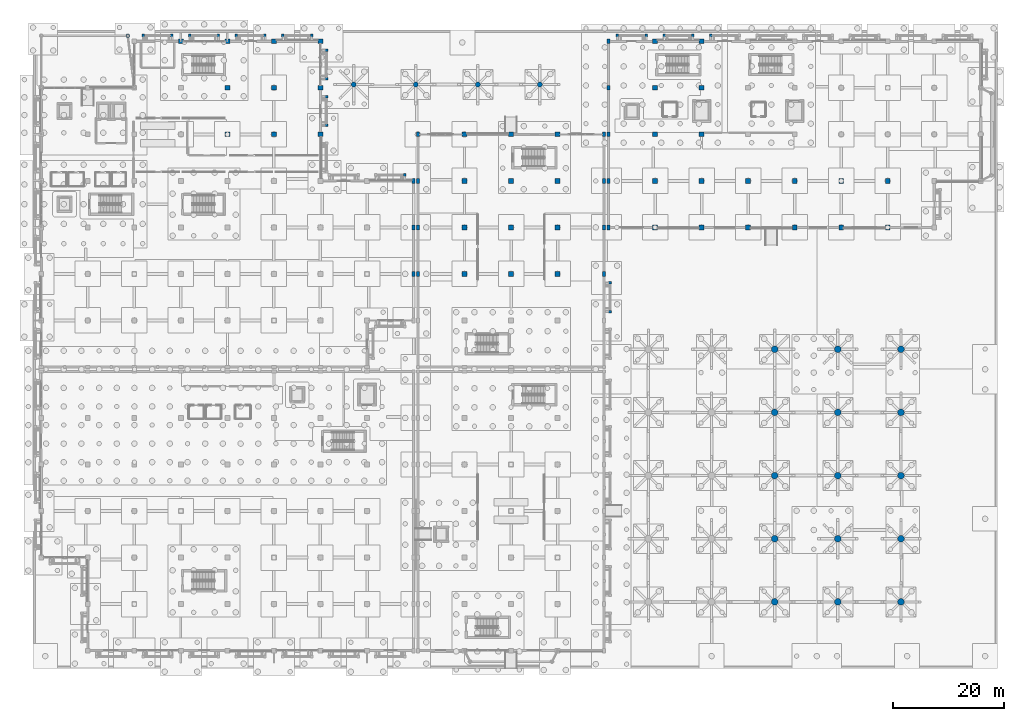
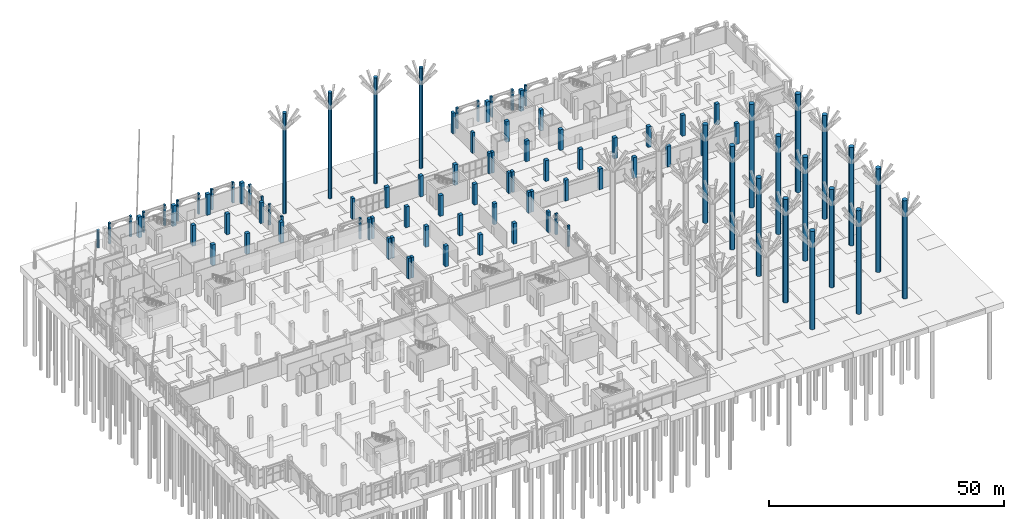
# One storey, part 10 of 98: 96 columns.
"""IFC4 building model written with IfcOpenShell, lengths in metres."""

import ifcopenshell
import ifcopenshell.guid

model = None  # the IFC model being written
_history = None  # IfcOwnerHistory: only IFC2X3 demands one
_inside = {}  # id of a spatial element -> (the spatial element, [elements in it])
_under = {}  # id of a project, library or spatial element -> (it, [spatial elements below it])
_declared = {}  # id of a project -> (the project, [libraries it declares])
_typed = {}  # id of a type object -> (the type object, [elements of that type])
_made_of = {}  # id of a material, layer set ... -> (it, [elements and type objects made of it])


def new_model(schema):
    """Start an empty IFC model of exactly this schema.

    Asked for "IFC4X3", IfcOpenShell would pick the latest addendum, in which some entities
    have other attributes; the version numbers below select the first issue.
    IFC2X3 requires an IfcOwnerHistory on every rooted entity: one is made here for all.
    """
    global model, _history
    if schema == "IFC4X3":
        model = ifcopenshell.file(schema_version=(4, 3, 0, 0))
    else:
        model = ifcopenshell.file(schema=schema)
    _inside.clear()
    _under.clear()
    _declared.clear()
    _typed.clear()
    _made_of.clear()
    _history = None
    if model.schema == "IFC2X3":
        org = make("IfcOrganization", Name="unknown")
        user = make(
            "IfcPersonAndOrganization",
            ThePerson=make("IfcPerson", FamilyName="unknown"),
            TheOrganization=org,
        )
        app = make(
            "IfcApplication",
            ApplicationDeveloper=org,
            Version="unknown",
            ApplicationFullName="unknown",
            ApplicationIdentifier="unknown",
        )
        _history = make(
            "IfcOwnerHistory",
            OwningUser=user,
            OwningApplication=app,
            ChangeAction="ADDED",
            CreationDate=0,
        )
    return model


def make(cls, **values):
    """One entity of the class cls with the attributes given. An attribute that is None is left unset."""
    return model.create_entity(
        cls, **{name: value for name, value in values.items() if value is not None}
    )


def rooted(cls, **values):
    """An entity with a GlobalId (a new one), such as an element, a storey or a relation."""
    return make(cls, GlobalId=ifcopenshell.guid.new(), OwnerHistory=_history, **values)


def si_unit(unit_type, name, prefix=None):
    """IfcSIUnit, for example si_unit("LENGTHUNIT", "METRE", prefix="MILLI")."""
    return make("IfcSIUnit", UnitType=unit_type, Prefix=prefix, Name=name)


def assignment(units):
    """IfcUnitAssignment: the units of a project."""
    return None if units is None else make("IfcUnitAssignment", Units=units)


def point(xyz):
    """IfcCartesianPoint."""
    return None if xyz is None else make("IfcCartesianPoint", Coordinates=xyz)


def direction(xyz):
    """IfcDirection."""
    return None if xyz is None else make("IfcDirection", DirectionRatios=xyz)


def frame(location, z_axis=None, x_axis=None):
    """IfcAxis2Placement3D, a coordinate frame: its origin and axes. An axis left out is left unset."""
    return make(
        "IfcAxis2Placement3D",
        Location=point(location),
        Axis=direction(z_axis),
        RefDirection=direction(x_axis),
    )


def frame_2d(location, x_axis=None):
    """IfcAxis2Placement2D, a coordinate frame in the plane: its origin and x axis."""
    return make(
        "IfcAxis2Placement2D", Location=point(location), RefDirection=direction(x_axis)
    )


def origin():
    """The frame at (0, 0, 0) with its axes left unset."""
    return frame((0.0, 0.0, 0.0))


def origin_2d():
    """The frame at (0, 0) in the plane with its x axis left unset."""
    return frame_2d((0.0, 0.0))


def place(relative_to, where):
    """IfcLocalPlacement: puts the frame where relative to a parent placement (None: the world)."""
    return make(
        "IfcLocalPlacement", PlacementRelTo=relative_to, RelativePlacement=where
    )


def context(
    kind, dimensions, precision=None, world=None, true_north=None, identifier=None
):
    """IfcGeometricRepresentationContext, for example the 3D "Model" context."""
    return make(
        "IfcGeometricRepresentationContext",
        ContextIdentifier=identifier,
        ContextType=kind,
        CoordinateSpaceDimension=dimensions,
        Precision=precision,
        WorldCoordinateSystem=world,
        TrueNorth=true_north,
    )


def subcontext(parent, identifier, kind, view, scale=None):
    """IfcGeometricRepresentationSubContext, for example "Body" below "Model"."""
    return make(
        "IfcGeometricRepresentationSubContext",
        ContextIdentifier=identifier,
        ContextType=kind,
        ParentContext=parent,
        TargetScale=scale,
        TargetView=view,
    )


def project(units=None, contexts=None):
    """IfcProject with its units and contexts."""
    return rooted(
        "IfcProject",
        Name="project",
        RepresentationContexts=contexts,
        UnitsInContext=assignment(units),
    )


def spatial(cls, under=None, at=None, **own):
    """A site, building, storey or space (cls), placed at a placement, below another one or the project."""
    s = rooted(cls, ObjectPlacement=at, **own)
    if under is not None:
        _under.setdefault(under.id(), (under, []))[1].append(s)
    return s


def profile(cls, at=None, kind="AREA", **sizes):
    """A parametric profile (cls). Its sizes go by their IFC names, for example OverallWidth=200.0."""
    return make(cls, ProfileType=kind, Position=at, **sizes)


def rectangle(**sizes):
    """IfcRectangleProfileDef."""
    return profile("IfcRectangleProfileDef", **sizes)


def circle(**sizes):
    """IfcCircleProfileDef."""
    return profile("IfcCircleProfileDef", **sizes)


def extrude(swept, where, along, depth):
    """IfcExtrudedAreaSolid: the profile swept, set in the frame where, extruded along a direction by depth."""
    return make(
        "IfcExtrudedAreaSolid",
        SweptArea=swept,
        Position=where,
        ExtrudedDirection=direction(along),
        Depth=depth,
    )


def shape(context_of_items, identifier, shape_type, items):
    """IfcShapeRepresentation: the items that make up one representation, for example the "Body"."""
    return make(
        "IfcShapeRepresentation",
        ContextOfItems=context_of_items,
        RepresentationIdentifier=identifier,
        RepresentationType=shape_type,
        Items=items,
    )


def material(Name=None, Category=None):
    """IfcMaterial."""
    return make("IfcMaterial", Name=Name, Category=Category)


def material_profile(
    of_material, cross_section, Name=None, Category=None, Priority=None
):
    """IfcMaterialProfile: a cross section and its material."""
    return make(
        "IfcMaterialProfile",
        Name=Name,
        Material=of_material,
        Profile=cross_section,
        Priority=Priority,
        Category=Category,
    )


def profile_set(profiles, Name=None, composite=None):
    """IfcMaterialProfileSet."""
    return make(
        "IfcMaterialProfileSet",
        Name=Name,
        MaterialProfiles=profiles,
        CompositeProfile=composite,
    )


def made_of(thing, what):
    """Note that an element or type object is made of a material, layer set ...; save() writes the relation."""
    if what is not None:
        _made_of.setdefault(what.id(), (what, []))[1].append(thing)
    return thing


def type_object(cls, material=None, **own):
    """A type object (cls), such as IfcWallType, which elements share."""
    return made_of(rooted(cls, **own), material)


def element(
    cls,
    number,
    at=None,
    inside=None,
    cuts=None,
    type_object=None,
    material=None,
    context=None,
    identifier="Body",
    shape_type=None,
    held_by="IfcProductDefinitionShape",
    body=None,
    shapes=None,
    **own,
):
    """One element of the class cls, such as IfcWall. Its Tag is "e" and its number.

    at: its placement. inside: the storey or other place that contains it. cuts: it is an
    opening in that element (IfcRelVoidsElement). A single representation is given by context,
    identifier, shape_type and body (its items); several are given by shapes. held_by: the class
    of the entity that holds the representations. save() writes the other relations.
    """
    e = rooted(cls, Tag="e%d" % number, ObjectPlacement=at, **own)
    if body is not None:
        shapes = [shape(context, identifier, shape_type, body)]
    if shapes is not None:
        e.Representation = make(held_by, Representations=shapes)
    if inside is not None:
        _inside.setdefault(inside.id(), (inside, []))[1].append(e)
    if cuts is not None:
        rooted(
            "IfcRelVoidsElement", RelatingBuildingElement=cuts, RelatedOpeningElement=e
        )
    if type_object is not None:
        _typed.setdefault(type_object.id(), (type_object, []))[1].append(e)
    return made_of(e, material)


def aggregate(whole, parts):
    """IfcRelAggregates: a whole, such as a stair, and the parts it consists of."""
    return rooted("IfcRelAggregates", RelatingObject=whole, RelatedObjects=parts)


def save(model, path):
    """Write the relations noted so far, then the file.

    IfcRelAggregates (storeys below a building ...), IfcRelContainedInSpatialStructure (elements
    in a storey), IfcRelDefinesByType, IfcRelAssociatesMaterial and IfcRelDeclares: one each for
    every whole, place, type object, material and project.
    """
    for whole, parts in _under.values():
        aggregate(whole, parts)
    for where, things in _inside.values():
        rooted(
            "IfcRelContainedInSpatialStructure",
            RelatedElements=things,
            RelatingStructure=where,
        )
    for kind, things in _typed.values():
        rooted("IfcRelDefinesByType", RelatedObjects=things, RelatingType=kind)
    for what, things in _made_of.values():
        rooted("IfcRelAssociatesMaterial", RelatedObjects=things, RelatingMaterial=what)
    for by, libraries in _declared.values():
        rooted("IfcRelDeclares", RelatingContext=by, RelatedDefinitions=libraries)
    model.write(path)


model = new_model("IFC4")

# Units and contexts
model_context = context("Model", 3, precision=1e-05, world=origin(), true_north=direction((0.0, 1.0)))
body_context = subcontext(model_context, "Body", "Model", "MODEL_VIEW")
ifc_project = project(units=[si_unit("LENGTHUNIT", "METRE"), si_unit("AREAUNIT", "SQUARE_METRE"), si_unit("VOLUMEUNIT", "CUBIC_METRE"), si_unit("PLANEANGLEUNIT", "RADIAN"), si_unit("MASSUNIT", "GRAM", prefix="KILO")], contexts=[model_context])

# Site, building, storey
site_placement = place(None, origin())
site = spatial("IfcSite", under=ifc_project, at=site_placement, CompositionType="ELEMENT")
building_placement = place(site_placement, origin())
building = spatial("IfcBuilding", under=site, at=building_placement, Name="Xazarin Passage Department Store", CompositionType="ELEMENT")
storey_placement = place(building_placement, origin())
storey = spatial("IfcBuildingStorey", under=building, at=storey_placement, Name="L00", CompositionType="ELEMENT", Elevation=0.0)

# Columns
ifc_material = material(Name="Concrete C40/50", Category="concrete")
ifc_material_profile_1 = material_profile(ifc_material, circle(Radius=0.35009765625, at=origin_2d()), Name="RCD 700")
ifc_profile_set_1 = profile_set([ifc_material_profile_1], Name="Concrete C40/50")
column_type_1 = type_object("IfcColumnType", Name="STR-COL-CAN700", PredefinedType="COLUMN", material=ifc_profile_set_1)
column_1_placement = place(storey_placement, frame((15.60009765625, 111.0, 0.0), z_axis=(0.0, 0.0, 1.0), x_axis=(1.0, 0.0, 0.0)))
element("IfcColumn", 1, at=column_1_placement, inside=storey, type_object=column_type_1, Name="Entrance Canopy Column CN1-4", PredefinedType="COLUMN", context=body_context, shape_type="SweptSolid", body=[
    extrude(circle(Radius=0.35009765625, at=origin_2d()), origin(), (0.0, 0.0, 1.0), 4.550048828125),
])
ifc_material_profile_2 = material_profile(ifc_material, rectangle(XDim=0.85009765625, YDim=0.85009765625, at=origin_2d()), Name="RC 850x850")
ifc_profile_set_2 = profile_set([ifc_material_profile_2], Name="Concrete C40/50")
column_type_2 = type_object("IfcColumnType", Name="STR-COL-RC850", PredefinedType="COLUMN", material=ifc_profile_set_2)
for number, where, z_axis, x_axis, name in (
    (2, (33.60009765625, 93.199951171875, 0.0), (0.0, 0.0, 1.0), (1.0, 0.0, 0.0), "L00 Column 5/N"),
    (3, (42.0, 93.199951171875, 0.0), (0.0, 0.0, 1.0), (1.0, 0.0, 0.0), "L00 Column 6/N"),
    (4, (50.39990234375, 93.199951171875, 0.0), (0.0, 0.0, 1.0), (1.0, 0.0, 0.0), "L00 Column 7/N"),
    (5, (33.60009765625, 101.60009765625, 0.0), (0.0, 0.0, 1.0), (1.0, 0.0, 0.0), "L00 Column 5/P"),
    (6, (42.0, 101.60009765625, 0.0), (0.0, 0.0, 1.0), (1.0, 0.0, 0.0), "L00 Column 6/P"),
    (7, (50.39990234375, 101.60009765625, 0.0), (0.0, 0.0, 1.0), (1.0, 0.0, 0.0), "L00 Column 7/P"),
    (8, (25.199951171875, 110.0, 0.0), (0.0, 0.0, 1.0), (1.0, 0.0, 0.0), "L00 Column 4/Q"),
    (9, (33.60009765625, 110.0, 0.0), (0.0, 0.0, 1.0), (1.0, 0.0, 0.0), "L00 Column 5/Q"),
    (10, (42.0, 110.0, 0.0), (0.0, 0.0, 1.0), (1.0, 0.0, 0.0), "L00 Column 6/Q"),
    (11, (50.39990234375, 110.0, 0.0), (0.0, 0.0, 1.0), (1.0, 0.0, 0.0), "L00 Column 7/Q"),
    (12, (76.39990234375, 68.0, 0.0), (0.0, 0.0, 1.0), (1.0, 0.0, 0.0), "L00 Column 11/K"),
    (13, (84.800048828125, 68.0, 0.0), (0.0, 0.0, 1.0), (1.0, 0.0, 0.0), "L00 Column 12/K"),
    (14, (93.199951171875, 68.0, 0.0), (0.0, 0.0, 1.0), (1.0, 0.0, 0.0), "L00 Column 13/K"),
    (15, (76.39990234375, 76.39990234375, 0.0), (0.0, 0.0, 1.0), (1.0, 0.0, 0.0), "L00 Column 11/L"),
    (16, (84.800048828125, 76.39990234375, 0.0), (0.0, 0.0, 1.0), (1.0, 0.0, 0.0), "L00 Column 12/L"),
    (17, (93.199951171875, 76.39990234375, 0.0), (0.0, 0.0, 1.0), (1.0, 0.0, 0.0), "L00 Column 13/L"),
    (18, (76.39990234375, 84.800048828125, 0.0), (0.0, 0.0, 1.0), (1.0, 0.0, 0.0), "L00 Column 11/M"),
    (19, (84.800048828125, 84.800048828125, 0.0), (0.0, 0.0, 1.0), (1.0, 0.0, 0.0), "L00 Column 12/M"),
    (20, (93.199951171875, 84.800048828125, 0.0), (0.0, 0.0, 1.0), (1.0, 0.0, 0.0), "L00 Column 13/M"),
    (21, (76.39990234375, 93.199951171875, 0.0), (0.0, 0.0, 1.0), (1.0, 0.0, 0.0), "L00 Column 11/N"),
    (22, (84.800048828125, 93.199951171875, 0.0), (0.0, 0.0, 1.0), (1.0, 0.0, 0.0), "L00 Column 12/N"),
    (23, (93.199951171875, 93.199951171875, 0.0), (0.0, 0.0, 1.0), (1.0, 0.0, 0.0), "L00 Column 13/N"),
    (24, (110.800048828125, 76.39990234375, 0.0), (0.0, 0.0, 1.0), (1.0, 0.0, 0.0), "L00 Column 16/L"),
    (25, (119.199951171875, 76.39990234375, 0.0), (0.0, 0.0, 1.0), (1.0, 0.0, 0.0), "L00 Column 17/L"),
    (26, (127.60009765625, 76.39990234375, 0.0), (0.0, 0.0, 1.0), (1.0, 0.0, 0.0), "L00 Column 18/L"),
    (27, (136.0, 76.39990234375, 0.0), (0.0, 0.0, 1.0), (1.0, 0.0, 0.0), "L00 Column 19/L"),
    (28, (144.39990234375, 76.39990234375, 0.0), (0.0, 0.0, 1.0), (1.0, 0.0, 0.0), "L00 Column 20/L"),
    (29, (152.800048828125, 76.39990234375, 0.0), (0.0, 0.0, 1.0), (1.0, 0.0, 0.0), "L00 Column 21/L"),
    (30, (110.800048828125, 84.800048828125, 0.0), (0.0, 0.0, 1.0), (1.0, 0.0, 0.0), "L00 Column 16/M"),
    (31, (119.199951171875, 84.800048828125, 0.0), (0.0, 0.0, 1.0), (1.0, 0.0, 0.0), "L00 Column 17/M"),
    (32, (127.60009765625, 84.800048828125, 0.0), (0.0, 0.0, 1.0), (1.0, 0.0, 0.0), "L00 Column 18/M"),
    (33, (136.0, 84.800048828125, 0.0), (0.0, 0.0, 1.0), (1.0, 0.0, 0.0), "L00 Column 19/M"),
    (34, (144.39990234375, 84.800048828125, 0.0), (0.0, 0.0, 1.0), (1.0, 0.0, 0.0), "L00 Column 20/M"),
    (35, (152.800048828125, 84.800048828125, 0.0), (0.0, 0.0, 1.0), (1.0, 0.0, 0.0), "L00 Column 21/M"),
    (36, (110.800048828125, 93.199951171875, 0.0), (0.0, 0.0, 1.0), (1.0, 0.0, 0.0), "L00 Column 16/N"),
    (37, (119.199951171875, 93.199951171875, 0.0), (0.0, 0.0, 1.0), (1.0, 0.0, 0.0), "L00 Column 17/N"),
    (38, (110.800048828125, 101.60009765625, 0.0), (0.0, 0.0, 1.0), (1.0, 0.0, 0.0), "L00 Column 16/P"),
    (39, (119.199951171875, 101.60009765625, 0.0), (0.0, 0.0, 1.0), (1.0, 0.0, 0.0), "L00 Column 17/P"),
    (40, (110.800048828125, 110.0, 0.0), (0.0, 0.0, 1.0), (1.0, 0.0, 0.0), "L00 Column 16/Q"),
    (41, (119.199951171875, 110.0, 0.0), (0.0, 0.0, 1.0), (1.0, 0.0, 0.0), "L00 Column 17/Q"),
):
    element("IfcColumn", number, at=place(storey_placement, frame(where, z_axis=z_axis, x_axis=x_axis)), inside=storey, type_object=column_type_2, Name=name, PredefinedType="COLUMN", context=body_context, shape_type="SweptSolid", body=[
        extrude(rectangle(XDim=0.85009765625, YDim=0.85009765625, at=origin_2d()), origin(), (0.0, 0.0, 1.0), 5.39990234375),
    ])
ifc_material_profile_3 = material_profile(ifc_material, rectangle(XDim=0.60009765625, YDim=0.85009765625, at=origin_2d()), Name="RC 600x850")
ifc_profile_set_3 = profile_set([ifc_material_profile_3], Name="Concrete C40/50")
column_type_3 = type_object("IfcColumnType", Name="STR-COL-SJ850", PredefinedType="COLUMN", material=ifc_profile_set_3)
for number, where, z_axis, x_axis, name in (
    (42, (67.199951171875, 68.0, 0.0), (0.0, 0.0, 1.0), (1.0, 0.0, 0.0), "L00 Column 9/K"),
    (43, (67.199951171875, 76.39990234375, 0.0), (0.0, 0.0, 1.0), (1.0, 0.0, 0.0), "L00 Column 9/L"),
    (44, (67.199951171875, 84.800048828125, 0.0), (0.0, 0.0, 1.0), (1.0, 0.0, 0.0), "L00 Column 9/M"),
    (45, (68.0, 68.0, 0.0), (0.0, 0.0, 1.0), (1.0, 0.0, 0.0), "L00 Column 10/K"),
    (46, (101.60009765625, 68.0, 0.0), (0.0, 0.0, 1.0), (1.0, 0.0, 0.0), "L00 Column 14/K"),
    (47, (68.0, 76.39990234375, 0.0), (0.0, 0.0, 1.0), (1.0, 0.0, 0.0), "L00 Column 10/L"),
    (48, (101.60009765625, 76.39990234375, 0.0), (0.0, 0.0, 1.0), (1.0, 0.0, 0.0), "L00 Column 14/L"),
    (49, (68.0, 84.800048828125, 0.0), (0.0, 0.0, 1.0), (1.0, 0.0, 0.0), "L00 Column 10/M"),
    (50, (101.60009765625, 84.800048828125, 0.0), (0.0, 0.0, 1.0), (1.0, 0.0, 0.0), "L00 Column 14/M"),
    (51, (68.0, 93.199951171875, 0.0), (0.0, 0.0, 1.0), (1.0, 0.0, 0.0), "L00 Column 10/N"),
    (52, (101.60009765625, 93.199951171875, 0.0), (0.0, 0.0, 1.0), (1.0, 0.0, 0.0), "L00 Column 14/N"),
    (53, (102.39990234375, 76.39990234375, 0.0), (0.0, 0.0, 1.0), (1.0, 0.0, 0.0), "L00 Column 15/L"),
    (54, (102.39990234375, 84.800048828125, 0.0), (0.0, 0.0, 1.0), (1.0, 0.0, 0.0), "L00 Column 15/M"),
    (55, (102.39990234375, 93.199951171875, 0.0), (0.0, 0.0, 1.0), (1.0, 0.0, 0.0), "L00 Column 15/N"),
    (56, (102.39990234375, 101.60009765625, 0.0), (0.0, 0.0, 1.0), (1.0, 0.0, 0.0), "L00 Column 15/P"),
    (57, (102.39990234375, 110.0, 0.0), (0.0, 0.0, 1.0), (1.0, 0.0, 0.0), "L00 Column 15/Q"),
):
    element("IfcColumn", number, at=place(storey_placement, frame(where, z_axis=z_axis, x_axis=x_axis)), inside=storey, type_object=column_type_3, Name=name, PredefinedType="COLUMN", context=body_context, shape_type="SweptSolid", body=[
        extrude(rectangle(XDim=0.60009765625, YDim=0.85009765625, at=origin_2d()), origin(), (0.0, 0.0, 1.0), 5.39990234375),
    ])
ifc_material_profile_4 = material_profile(ifc_material, circle(Radius=0.60009765625, at=origin_2d()), Name="RCD 1200")
ifc_profile_set_4 = profile_set([ifc_material_profile_4], Name="Concrete C40/50")
column_type_4 = type_object("IfcColumnType", Name="STR-COL-UMB1200", PredefinedType="COLUMN", material=ifc_profile_set_4)
column_2_placement = place(storey_placement, frame((132.39990234375, 8.800048828125, 0.0), z_axis=(0.0, 0.0, 1.0), x_axis=(1.0, 0.0, 0.0)))
element("IfcColumn", 58, at=column_2_placement, inside=storey, type_object=column_type_4, Name="Trading Court Umbrella Column UM7", PredefinedType="COLUMN", context=body_context, shape_type="SweptSolid", body=[
    extrude(circle(Radius=0.60009765625, at=origin_2d()), origin(), (0.0, 0.0, 1.0), 25.580078125),
])
column_3_placement = place(storey_placement, frame((143.800048828125, 8.800048828125, 0.0), z_axis=(0.0, 0.0, 1.0), x_axis=(1.0, 0.0, 0.0)))
element("IfcColumn", 59, at=column_3_placement, inside=storey, type_object=column_type_4, Name="Trading Court Umbrella Column UM8", PredefinedType="COLUMN", context=body_context, shape_type="SweptSolid", body=[
    extrude(circle(Radius=0.60009765625, at=origin_2d()), origin(), (0.0, 0.0, 1.0), 26.97998046875),
])
column_4_placement = place(storey_placement, frame((155.199951171875, 8.800048828125, 0.0), z_axis=(0.0, 0.0, 1.0), x_axis=(1.0, 0.0, 0.0)))
element("IfcColumn", 60, at=column_4_placement, inside=storey, type_object=column_type_4, Name="Trading Court Umbrella Column UM9", PredefinedType="COLUMN", context=body_context, shape_type="SweptSolid", body=[
    extrude(circle(Radius=0.60009765625, at=origin_2d()), origin(), (0.0, 0.0, 1.0), 25.580078125),
])
column_5_placement = place(storey_placement, frame((132.39990234375, 20.199951171875, 0.0), z_axis=(0.0, 0.0, 1.0), x_axis=(1.0, 0.0, 0.0)))
element("IfcColumn", 61, at=column_5_placement, inside=storey, type_object=column_type_4, Name="Trading Court Umbrella Column UM12", PredefinedType="COLUMN", context=body_context, shape_type="SweptSolid", body=[
    extrude(circle(Radius=0.60009765625, at=origin_2d()), origin(), (0.0, 0.0, 1.0), 26.97998046875),
])
column_6_placement = place(storey_placement, frame((143.800048828125, 20.199951171875, 0.0), z_axis=(0.0, 0.0, 1.0), x_axis=(1.0, 0.0, 0.0)))
element("IfcColumn", 62, at=column_6_placement, inside=storey, type_object=column_type_4, Name="Trading Court Umbrella Column UM13", PredefinedType="COLUMN", context=body_context, shape_type="SweptSolid", body=[
    extrude(circle(Radius=0.60009765625, at=origin_2d()), origin(), (0.0, 0.0, 1.0), 25.580078125),
])
column_7_placement = place(storey_placement, frame((155.199951171875, 20.199951171875, 0.0), z_axis=(0.0, 0.0, 1.0), x_axis=(1.0, 0.0, 0.0)))
element("IfcColumn", 63, at=column_7_placement, inside=storey, type_object=column_type_4, Name="Trading Court Umbrella Column UM14", PredefinedType="COLUMN", context=body_context, shape_type="SweptSolid", body=[
    extrude(circle(Radius=0.60009765625, at=origin_2d()), origin(), (0.0, 0.0, 1.0), 26.97998046875),
])
column_8_placement = place(storey_placement, frame((132.39990234375, 31.60009765625, 0.0), z_axis=(0.0, 0.0, 1.0), x_axis=(1.0, 0.0, 0.0)))
element("IfcColumn", 64, at=column_8_placement, inside=storey, type_object=column_type_4, Name="Trading Court Umbrella Column UM17", PredefinedType="COLUMN", context=body_context, shape_type="SweptSolid", body=[
    extrude(circle(Radius=0.60009765625, at=origin_2d()), origin(), (0.0, 0.0, 1.0), 25.580078125),
])
column_9_placement = place(storey_placement, frame((143.800048828125, 31.60009765625, 0.0), z_axis=(0.0, 0.0, 1.0), x_axis=(1.0, 0.0, 0.0)))
element("IfcColumn", 65, at=column_9_placement, inside=storey, type_object=column_type_4, Name="Trading Court Umbrella Column UM18", PredefinedType="COLUMN", context=body_context, shape_type="SweptSolid", body=[
    extrude(circle(Radius=0.60009765625, at=origin_2d()), origin(), (0.0, 0.0, 1.0), 26.97998046875),
])
column_10_placement = place(storey_placement, frame((155.199951171875, 31.60009765625, 0.0), z_axis=(0.0, 0.0, 1.0), x_axis=(1.0, 0.0, 0.0)))
element("IfcColumn", 66, at=column_10_placement, inside=storey, type_object=column_type_4, Name="Trading Court Umbrella Column UM19", PredefinedType="COLUMN", context=body_context, shape_type="SweptSolid", body=[
    extrude(circle(Radius=0.60009765625, at=origin_2d()), origin(), (0.0, 0.0, 1.0), 25.580078125),
])
column_11_placement = place(storey_placement, frame((132.39990234375, 43.0, 0.0), z_axis=(0.0, 0.0, 1.0), x_axis=(1.0, 0.0, 0.0)))
element("IfcColumn", 67, at=column_11_placement, inside=storey, type_object=column_type_4, Name="Trading Court Umbrella Column UM22", PredefinedType="COLUMN", context=body_context, shape_type="SweptSolid", body=[
    extrude(circle(Radius=0.60009765625, at=origin_2d()), origin(), (0.0, 0.0, 1.0), 26.97998046875),
])
column_12_placement = place(storey_placement, frame((143.800048828125, 43.0, 0.0), z_axis=(0.0, 0.0, 1.0), x_axis=(1.0, 0.0, 0.0)))
element("IfcColumn", 68, at=column_12_placement, inside=storey, type_object=column_type_4, Name="Trading Court Umbrella Column UM23", PredefinedType="COLUMN", context=body_context, shape_type="SweptSolid", body=[
    extrude(circle(Radius=0.60009765625, at=origin_2d()), origin(), (0.0, 0.0, 1.0), 25.580078125),
])
column_13_placement = place(storey_placement, frame((155.199951171875, 43.0, 0.0), z_axis=(0.0, 0.0, 1.0), x_axis=(1.0, 0.0, 0.0)))
element("IfcColumn", 69, at=column_13_placement, inside=storey, type_object=column_type_4, Name="Trading Court Umbrella Column UM24", PredefinedType="COLUMN", context=body_context, shape_type="SweptSolid", body=[
    extrude(circle(Radius=0.60009765625, at=origin_2d()), origin(), (0.0, 0.0, 1.0), 26.97998046875),
])
column_14_placement = place(storey_placement, frame((132.39990234375, 54.39990234375, 0.0), z_axis=(0.0, 0.0, 1.0), x_axis=(1.0, 0.0, 0.0)))
element("IfcColumn", 70, at=column_14_placement, inside=storey, type_object=column_type_4, Name="Trading Court Umbrella Column UM27", PredefinedType="COLUMN", context=body_context, shape_type="SweptSolid", body=[
    extrude(circle(Radius=0.60009765625, at=origin_2d()), origin(), (0.0, 0.0, 1.0), 25.580078125),
])
column_15_placement = place(storey_placement, frame((143.800048828125, 54.39990234375, 0.0), z_axis=(0.0, 0.0, 1.0), x_axis=(1.0, 0.0, 0.0)))
element("IfcColumn", 71, at=column_15_placement, inside=storey, type_object=column_type_4, Name="Trading Court Umbrella Column UM28", PredefinedType="COLUMN", context=body_context, shape_type="SweptSolid", body=[
    extrude(circle(Radius=0.60009765625, at=origin_2d()), origin(), (0.0, 0.0, 1.0), 26.97998046875),
])
column_16_placement = place(storey_placement, frame((155.199951171875, 54.39990234375, 0.0), z_axis=(0.0, 0.0, 1.0), x_axis=(1.0, 0.0, 0.0)))
element("IfcColumn", 72, at=column_16_placement, inside=storey, type_object=column_type_4, Name="Trading Court Umbrella Column UM29", PredefinedType="COLUMN", context=body_context, shape_type="SweptSolid", body=[
    extrude(circle(Radius=0.60009765625, at=origin_2d()), origin(), (0.0, 0.0, 1.0), 25.580078125),
])
ifc_material_profile_5 = material_profile(ifc_material, circle(Radius=0.449951171875, at=origin_2d()), Name="RCD 900")
ifc_profile_set_5 = profile_set([ifc_material_profile_5], Name="Concrete C40/50")
column_type_5 = type_object("IfcColumnType", Name="STR-COL-UMB900", PredefinedType="COLUMN", material=ifc_profile_set_5)
column_17_placement = place(storey_placement, frame((56.39990234375, 102.199951171875, 0.0), z_axis=(0.0, 0.0, 1.0), x_axis=(1.0, 0.0, 0.0)))
element("IfcColumn", 73, at=column_17_placement, inside=storey, type_object=column_type_5, Name="Trading Court Umbrella Column UM1", PredefinedType="COLUMN", context=body_context, shape_type="SweptSolid", body=[
    extrude(circle(Radius=0.449951171875, at=origin_2d()), origin(), (0.0, 0.0, 1.0), 26.179931640625),
])
for number, where, z_axis, x_axis, name in (
    (74, (67.60009765625, 102.199951171875, 0.0), (0.0, 0.0, 1.0), (1.0, 0.0, 0.0), "Trading Court Umbrella Column UM2"),
    (75, (78.800048828125, 102.199951171875, 0.0), (0.0, 0.0, 1.0), (1.0, 0.0, 0.0), "Trading Court Umbrella Column UM3"),
):
    element("IfcColumn", number, at=place(storey_placement, frame(where, z_axis=z_axis, x_axis=x_axis)), inside=storey, type_object=column_type_5, Name=name, PredefinedType="COLUMN", context=body_context, shape_type="SweptSolid", body=[
        extrude(circle(Radius=0.449951171875, at=origin_2d()), origin(), (0.0, 0.0, 1.0), 27.580078125),
    ])
column_18_placement = place(storey_placement, frame((90.0, 102.199951171875, 0.0), z_axis=(0.0, 0.0, 1.0), x_axis=(1.0, 0.0, 0.0)))
element("IfcColumn", 76, at=column_18_placement, inside=storey, type_object=column_type_5, Name="Trading Court Umbrella Column UM4", PredefinedType="COLUMN", context=body_context, shape_type="SweptSolid", body=[
    extrude(circle(Radius=0.449951171875, at=origin_2d()), origin(), (0.0, 0.0, 1.0), 26.179931640625),
])
ifc_material_profile_6 = material_profile(ifc_material, rectangle(XDim=0.449951171875, YDim=0.550048828125, at=origin_2d()), Name="RC 450x550")
ifc_profile_set_6 = profile_set([ifc_material_profile_6], Name="Concrete C40/50")
column_type_6 = type_object("IfcColumnType", Name="STR-PIL-RC450", PredefinedType="PILASTER", material=ifc_profile_set_6)
for number, where, z_axis, x_axis, name in (
    (77, (18.419921875, 111.050048828125, 0.0), (0.0, 0.0, 1.0), (1.0, 0.0, 0.0), "L00 V1 Pierced-Arch Colonnade Pier 001L"),
    (78, (23.580078125, 111.050048828125, 0.0), (0.0, 0.0, 1.0), (1.0, 0.0, 0.0), "L00 V1 Pierced-Arch Colonnade Pier 001R"),
    (79, (26.820068359375, 111.050048828125, 0.0), (0.0, 0.0, 1.0), (1.0, 0.0, 0.0), "L00 V1 Pierced-Arch Colonnade Pier 002L"),
    (80, (31.97998046875, 111.050048828125, 0.0), (0.0, 0.0, 1.0), (1.0, 0.0, 0.0), "L00 V1 Pierced-Arch Colonnade Pier 002R"),
    (81, (35.219970703125, 111.050048828125, 0.0), (0.0, 0.0, 1.0), (1.0, 0.0, 0.0), "L00 V1 Pierced-Arch Colonnade Pier 003L"),
    (82, (40.3798828125, 111.050048828125, 0.0), (0.0, 0.0, 1.0), (1.0, 0.0, 0.0), "L00 V1 Pierced-Arch Colonnade Pier 003R"),
    (83, (43.6201171875, 111.050048828125, 0.0), (0.0, 0.0, 1.0), (1.0, 0.0, 0.0), "L00 V1 Pierced-Arch Colonnade Pier 004L"),
    (84, (48.780029296875, 111.050048828125, 0.0), (0.0, 0.0, 1.0), (1.0, 0.0, 0.0), "L00 V1 Pierced-Arch Colonnade Pier 004R"),
    (85, (65.580078125, 85.85009765625, 0.0), (0.0, 0.0, 1.0), (1.0, 0.0, 0.0), "L00 V1 Pierced-Arch Colonnade Pier 007R"),
    (86, (51.449951171875, 94.820068359375, 0.0), (0.0, 0.0, 1.0), (0.0, 1.0, 0.0), "L00 V1 Pierced-Arch Colonnade Pier 015L"),
    (87, (51.449951171875, 99.97998046875, 0.0), (0.0, 0.0, 1.0), (0.0, 1.0, 0.0), "L00 V1 Pierced-Arch Colonnade Pier 015R"),
    (88, (51.449951171875, 103.219970703125, 0.0), (0.0, 0.0, 1.0), (0.0, 1.0, 0.0), "L00 V1 Pierced-Arch Colonnade Pier 016L"),
    (89, (51.449951171875, 108.3798828125, 0.0), (0.0, 0.0, 1.0), (0.0, 1.0, 0.0), "L00 V1 Pierced-Arch Colonnade Pier 016R"),
    (90, (102.64990234375, 61.219970703125, 0.0), (0.0, 0.0, 1.0), (0.0, 1.0, 0.0), "L00 V2N Pierced-Arch Colonnade Pier 025L"),
    (91, (102.64990234375, 66.3798828125, 0.0), (0.0, 0.0, 1.0), (0.0, 1.0, 0.0), "L00 V2N Pierced-Arch Colonnade Pier 025R"),
    (92, (104.02001953125, 111.050048828125, 0.0), (0.0, 0.0, 1.0), (1.0, 0.0, 0.0), "L00 V4 Pierced-Arch Colonnade Pier 040L"),
    (93, (109.179931640625, 111.050048828125, 0.0), (0.0, 0.0, 1.0), (1.0, 0.0, 0.0), "L00 V4 Pierced-Arch Colonnade Pier 040R"),
    (94, (112.419921875, 111.050048828125, 0.0), (0.0, 0.0, 1.0), (1.0, 0.0, 0.0), "L00 V4 Pierced-Arch Colonnade Pier 041L"),
    (95, (117.580078125, 111.050048828125, 0.0), (0.0, 0.0, 1.0), (1.0, 0.0, 0.0), "L00 V4 Pierced-Arch Colonnade Pier 041R"),
    (96, (120.820068359375, 111.050048828125, 0.0), (0.0, 0.0, 1.0), (1.0, 0.0, 0.0), "L00 V4 Pierced-Arch Colonnade Pier 042L"),
):
    element("IfcColumn", number, at=place(storey_placement, frame(where, z_axis=z_axis, x_axis=x_axis)), inside=storey, type_object=column_type_6, Name=name, PredefinedType="PILASTER", context=body_context, shape_type="SweptSolid", body=[
        extrude(rectangle(XDim=0.449951171875, YDim=0.550048828125, at=origin_2d()), origin(), (0.0, 0.0, 1.0), 5.39990234375),
    ])

save(model, "model.ifc")
